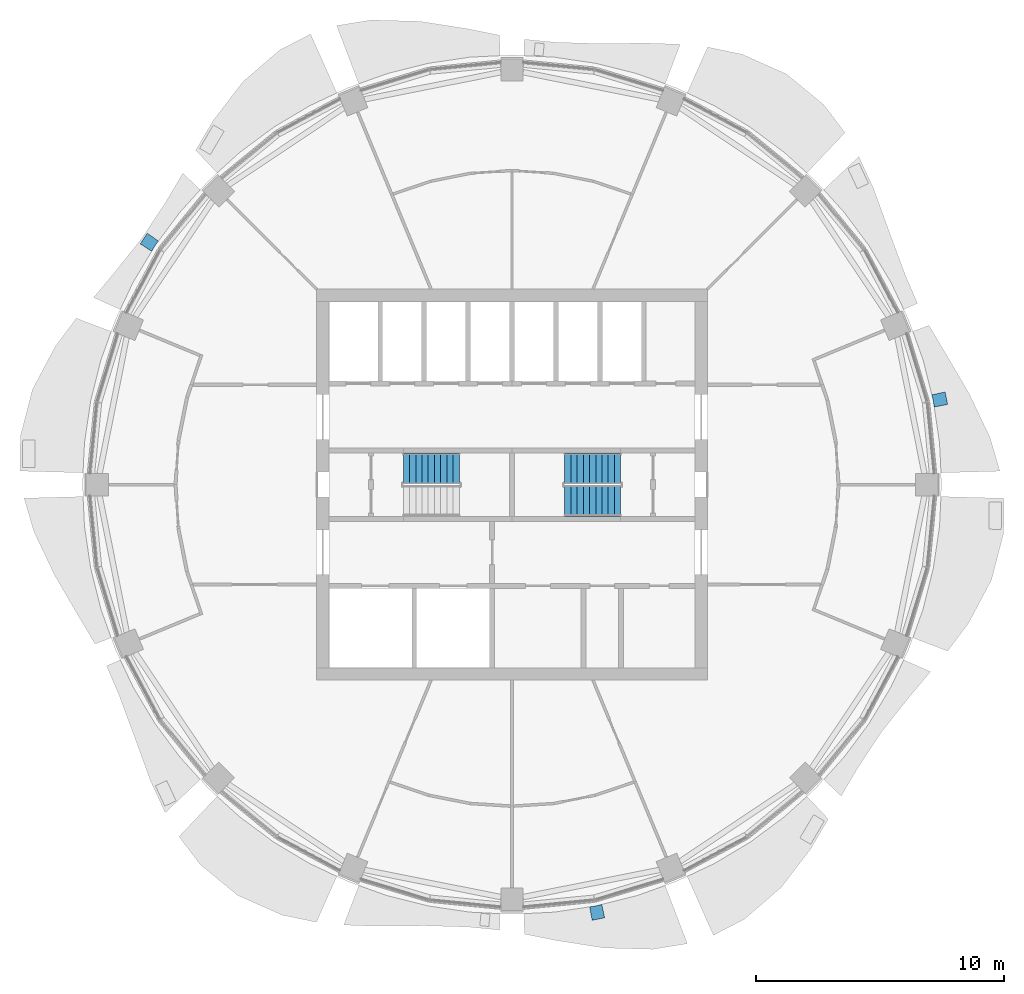
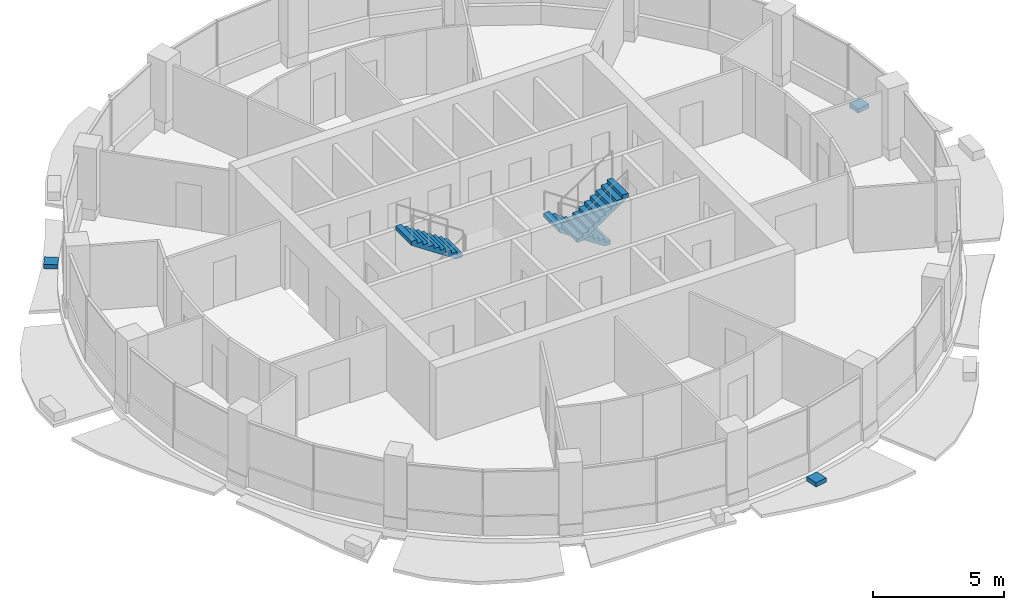
# One storey, part 11 of 15: 3 discrete accessories, 3 stair flights, 2 elements without a shape of their own.
"""IFC4 building model written with IfcOpenShell, lengths in metres."""

from ifc_helpers import new_model, si_unit, direction, frame, origin, place, context, subcontext, project, spatial, polyline, outline, extrude, material, type_object, element, aggregate, save


model = new_model("IFC4")

# Units and contexts
model_context = context("Model", 3, precision=1e-05, world=origin(), true_north=direction((0.0, 1.0)))
body_context = subcontext(model_context, "Body", "Model", "MODEL_VIEW")
ifc_project = project(units=[si_unit("LENGTHUNIT", "METRE"), si_unit("AREAUNIT", "SQUARE_METRE"), si_unit("VOLUMEUNIT", "CUBIC_METRE"), si_unit("PLANEANGLEUNIT", "RADIAN"), si_unit("MASSUNIT", "GRAM", prefix="KILO")], contexts=[model_context])

# Site, building, storey
site_placement = place(None, origin())
site = spatial("IfcSite", under=ifc_project, at=site_placement, CompositionType="ELEMENT")
building_placement = place(site_placement, origin())
building = spatial("IfcBuilding", under=site, at=building_placement, Name="Polderwave Tower", CompositionType="ELEMENT")
storey_placement = place(building_placement, frame((0.0, 0.0, 197.699951171875)))
storey = spatial("IfcBuildingStorey", under=building, at=storey_placement, Name="L53", CompositionType="ELEMENT", Elevation=197.699951171875)

# Stair, stair flight
ifc_material_1 = material(Name="Concrete C40/50", Category="concrete")
stair_type = type_object("IfcStairType", Name="Exit stair 1200 x 20 risers", PredefinedType="HALF_TURN_STAIR", material=ifc_material_1)
stair_1_placement = place(storey_placement, origin())
stair_1 = element("IfcStair", 1, at=stair_1_placement, inside=storey, type_object=stair_type, Name="L53 Exit stair A", PredefinedType="HALF_TURN_STAIR")
stair_flight_type = type_object("IfcStairFlightType", Name="Stair flight 1200", PredefinedType="STRAIGHT", material=ifc_material_1)
stair_flight_1_placement = place(storey_placement, frame((-2.1240234375, 0.675048828125, 1.675048828125), z_axis=(0.0, 0.0, 1.0), x_axis=(-1.0, 0.0, 0.0)))
stair_flight_1 = element("IfcStairFlight", 2, at=stair_flight_1_placement, type_object=stair_flight_type, Name="ST-A flight 2", NumberOfRisers=10, NumberOfTreads=9, PredefinedType="STRAIGHT", RiserHeight=0.1675, TreadLength=0.25, context=body_context, shape_type="SweptSolid", body=[
    extrude(outline(polyline([(0.0, 0.0), (0.0, 0.16748046875), (0.25, 0.16748046875), (0.25, 0.3349609375), (0.5, 0.3349609375), (0.5, 0.50244140625), (0.75, 0.50244140625), (0.75, 0.669921875), (1.0, 0.669921875), (1.0, 0.83740234375), (1.25, 0.83740234375), (1.25, 1.0048828125), (1.5, 1.0048828125), (1.5, 1.172607421875), (1.75, 1.172607421875), (1.75, 1.340087890625), (2.0, 1.340087890625), (2.0, 1.507568359375), (2.25, 1.507568359375), (2.25, 1.675048828125), (2.25, 1.3271484375), (0.269287109375, 0.0), (0.0, 0.0)])), frame((0.0, 0.60009765625, 0.0), z_axis=(0.0, -1.0, 0.0), x_axis=(1.0, 0.0, 0.0)), (0.0, 0.0, 1.0), 1.199951171875),
])
aggregate(stair_1, [stair_flight_1])

# Stair, stair flights
stair_2_placement = place(storey_placement, origin())
stair_2 = element("IfcStair", 3, at=stair_2_placement, inside=storey, type_object=stair_type, Name="L53 Exit stair B", PredefinedType="HALF_TURN_STAIR")
stair_flight_2_placement = place(storey_placement, frame((4.3740234375, 0.675048828125, 0.0), z_axis=(0.0, 0.0, 1.0), x_axis=(-1.0, 0.0, 0.0)))
stair_flight_2 = element("IfcStairFlight", 4, at=stair_flight_2_placement, type_object=stair_flight_type, Name="ST-B flight 1", NumberOfRisers=10, NumberOfTreads=9, PredefinedType="STRAIGHT", RiserHeight=0.1675, TreadLength=0.25, context=body_context, shape_type="SweptSolid", body=[
    extrude(outline(polyline([(0.0, 0.0), (0.0, 0.16748046875), (0.25, 0.16748046875), (0.25, 0.3349609375), (0.5, 0.3349609375), (0.5, 0.50244140625), (0.75, 0.50244140625), (0.75, 0.669921875), (1.0, 0.669921875), (1.0, 0.83740234375), (1.25, 0.83740234375), (1.25, 1.0048828125), (1.5, 1.0048828125), (1.5, 1.172607421875), (1.75, 1.172607421875), (1.75, 1.340087890625), (2.0, 1.340087890625), (2.0, 1.507568359375), (2.25, 1.507568359375), (2.25, 1.675048828125), (2.25, 1.3271484375), (0.269287109375, 0.0), (0.0, 0.0)])), frame((0.0, 0.60009765625, 0.0), z_axis=(0.0, -1.0, 0.0), x_axis=(1.0, 0.0, 0.0)), (0.0, 0.0, 1.0), 1.199951171875),
])
stair_flight_3_placement = place(storey_placement, frame((2.1240234375, -0.675048828125, 1.675048828125), z_axis=(0.0, 0.0, 1.0), x_axis=(1.0, 0.0, 0.0)))
stair_flight_3 = element("IfcStairFlight", 5, at=stair_flight_3_placement, type_object=stair_flight_type, Name="ST-B flight 2", NumberOfRisers=10, NumberOfTreads=9, PredefinedType="STRAIGHT", RiserHeight=0.1675, TreadLength=0.25, context=body_context, shape_type="SweptSolid", body=[
    extrude(outline(polyline([(0.0, 0.0), (0.0, 0.16748046875), (0.25, 0.16748046875), (0.25, 0.3349609375), (0.5, 0.3349609375), (0.5, 0.50244140625), (0.75, 0.50244140625), (0.75, 0.669921875), (1.0, 0.669921875), (1.0, 0.83740234375), (1.25, 0.83740234375), (1.25, 1.0048828125), (1.5, 1.0048828125), (1.5, 1.172607421875), (1.75, 1.172607421875), (1.75, 1.340087890625), (2.0, 1.340087890625), (2.0, 1.507568359375), (2.25, 1.507568359375), (2.25, 1.675048828125), (2.25, 1.3271484375), (0.269287109375, 0.0), (0.0, 0.0)])), frame((0.0, 0.60009765625, 0.0), z_axis=(0.0, -1.0, 0.0), x_axis=(1.0, 0.0, 0.0)), (0.0, 0.0, 1.0), 1.199951171875),
])
aggregate(stair_2, [stair_flight_2, stair_flight_3])

# Discrete accessories
ifc_material_2 = material(Name="Steel S355", Category="steel")
discrete_accessory_type = type_object("IfcDiscreteAccessoryType", Name="Band bracket pad", PredefinedType="BRACKET", material=ifc_material_2)
discrete_accessory_1_placement = place(storey_placement, frame((0.0, 0.0, -0.199951171875)))
element("IfcDiscreteAccessory", 6, at=discrete_accessory_1_placement, inside=storey, type_object=discrete_accessory_type, Name="Band bracket L53 1", PredefinedType="BRACKET", context=body_context, shape_type="SweptSolid", body=[
    extrude(outline(polyline([(17.00439453125, 3.127685546875), (16.967529296875, 3.375), (16.90673828125, 3.61767578125), (17.444580078125, 3.732666015625), (17.545166015625, 3.227294921875), (17.00439453125, 3.127685546875)])), origin(), (0.0, 0.0, 1.0), 0.199951171875),
])
discrete_accessory_2_placement = place(storey_placement, frame((0.0, 0.0, -0.199951171875)))
element("IfcDiscreteAccessory", 7, at=discrete_accessory_2_placement, inside=storey, type_object=discrete_accessory_type, Name="Band bracket L53 7", PredefinedType="BRACKET", context=body_context, shape_type="SweptSolid", body=[
    extrude(outline(polyline([(-14.235595703125, 9.812255859375), (-14.384521484375, 9.611328125), (-14.512939453125, 9.39697265625), (-14.974609375, 9.69580078125), (-14.688232421875, 10.124267578125), (-14.235595703125, 9.812255859375)])), origin(), (0.0, 0.0, 1.0), 0.199951171875),
])
discrete_accessory_3_placement = place(storey_placement, frame((0.0, 0.0, -0.199951171875)))
element("IfcDiscreteAccessory", 8, at=discrete_accessory_3_placement, inside=storey, type_object=discrete_accessory_type, Name="Band bracket L53 13", PredefinedType="BRACKET", context=body_context, shape_type="SweptSolid", body=[
    extrude(outline(polyline([(3.127685546875, -17.00439453125), (3.375, -16.967529296875), (3.61767578125, -16.90673828125), (3.732666015625, -17.444580078125), (3.227294921875, -17.545166015625), (3.127685546875, -17.00439453125)])), origin(), (0.0, 0.0, 1.0), 0.199951171875),
])

save(model, "model.ifc")
